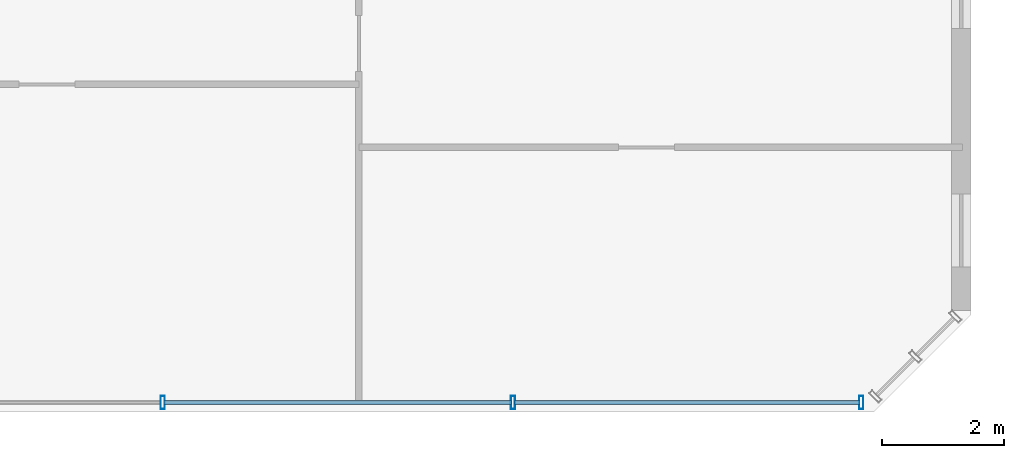
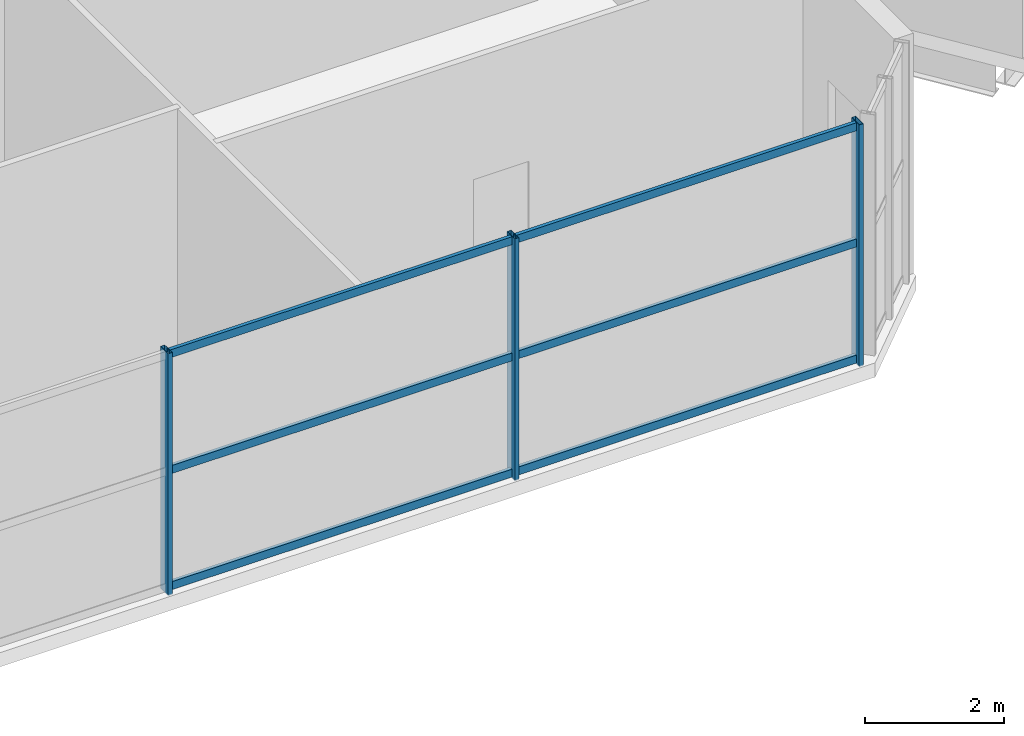
# One storey, part 7 of 30: 9 members, 1 element without a shape of its own.
"""IFC4 building model written with IfcOpenShell, lengths in metres."""

from ifc_helpers import new_model, si_unit, direction, frame, origin, origin_2d, place, context, subcontext, project, spatial, hollow_rectangle, extrude, source, transform, mapped, material, material_profile, profile_set, type_object, element, aggregate, save


model = new_model("IFC4")

# Units and contexts
model_context = context("Model", 3, precision=1e-05, world=origin(), true_north=direction((0.0, 1.0)))
body_context = subcontext(model_context, "Body", "Model", "MODEL_VIEW")
ifc_project = project(units=[si_unit("LENGTHUNIT", "METRE"), si_unit("AREAUNIT", "SQUARE_METRE"), si_unit("VOLUMEUNIT", "CUBIC_METRE"), si_unit("PLANEANGLEUNIT", "RADIAN"), si_unit("MASSUNIT", "GRAM", prefix="KILO")], contexts=[model_context])

# Site, building, storey
site_placement = place(None, origin())
site = spatial("IfcSite", under=ifc_project, at=site_placement, CompositionType="ELEMENT")
building_placement = place(site_placement, origin())
building = spatial("IfcBuilding", under=site, at=building_placement, Name="Tlacorven Tower", CompositionType="ELEMENT")
storey_placement = place(building_placement, frame((0.0, 0.0, 67.199951171875)))
storey = spatial("IfcBuildingStorey", under=building, at=storey_placement, Name="L17", CompositionType="ELEMENT", Elevation=67.199951171875)

# Curtain wall, members
ifc_material_1 = material(Name="Dark solar low-E double glazing in aluminium frame", Category="aluminium")
curtain_wall_type = type_object("IfcCurtainWallType", Name="CW-TWR-LOW", PredefinedType="USERDEFINED", material=ifc_material_1)
curtain_wall_placement = place(storey_placement, origin())
curtain_wall = element("IfcCurtainWall", 1, at=curtain_wall_placement, inside=storey, type_object=curtain_wall_type, Name="L17 CW-TWR-LOW Curtain Wall 94", ObjectType="UNITISED CURTAIN WALL", PredefinedType="USERDEFINED")
ifc_material_2 = material(Name="Aluminium 6063-T6 anodised", Category="aluminium")
ifc_material_profile_1 = material_profile(ifc_material_2, hollow_rectangle(XDim=0.06005859375, YDim=0.139892578125, WallThickness=0.00390625, at=origin_2d()), Name="ALU TRANSOM 60X140")
ifc_profile_set_1 = profile_set([ifc_material_profile_1], Name="Aluminium 6063-T6 anodised")
member_type_1 = type_object("IfcMemberType", Name="CWT-02", PredefinedType="USERDEFINED", material=ifc_profile_set_1)
shared_shape_1 = source(origin(), body_context, "Body", "SweptSolid", [
    extrude(hollow_rectangle(XDim=0.06005859375, YDim=0.139892578125, WallThickness=0.00390625, at=origin_2d()), origin(), (0.0, 0.0, 1.0), 5.6748046875),
])
member_1_placement = place(storey_placement, frame((50.57568359375, 1.9599609375, 0.070068359375), z_axis=(-1.0, 0.0, 0.0), x_axis=(0.0, -1.0, 0.0)))
member_1 = element("IfcMember", 2, at=member_1_placement, type_object=member_type_1, Name="CW-L17-094 Transom 1", ObjectType="TRANSOM", PredefinedType="USERDEFINED", context=body_context, shape_type="MappedRepresentation", body=[
    mapped(shared_shape_1, transform((0.0, 0.0, 0.0), scale=1.0)),
])
member_2_placement = place(storey_placement, frame((50.57568359375, 1.9599609375, 2.110107421875), z_axis=(-1.0, 0.0, 0.0), x_axis=(0.0, -1.0, 0.0)))
member_2 = element("IfcMember", 3, at=member_2_placement, type_object=member_type_1, Name="CW-L17-094 Transom 2", ObjectType="TRANSOM", PredefinedType="USERDEFINED", context=body_context, shape_type="MappedRepresentation", body=[
    mapped(shared_shape_1, transform((0.0, 0.0, 0.0), scale=1.0)),
])
member_3_placement = place(storey_placement, frame((50.57568359375, 1.9599609375, 4.150146484375), z_axis=(-1.0, 0.0, 0.0), x_axis=(0.0, -1.0, 0.0)))
member_3 = element("IfcMember", 4, at=member_3_placement, type_object=member_type_1, Name="CW-L17-094 Transom 3", ObjectType="TRANSOM", PredefinedType="USERDEFINED", context=body_context, shape_type="MappedRepresentation", body=[
    mapped(shared_shape_1, transform((0.0, 0.0, 0.0), scale=1.0)),
])
shared_shape_2 = source(origin(), body_context, "Body", "SweptSolid", [
    extrude(hollow_rectangle(XDim=0.06005859375, YDim=0.139892578125, WallThickness=0.00390625, at=origin_2d()), origin(), (0.0, 0.0, 1.0), 5.7099609375),
])
member_4_placement = place(storey_placement, frame((44.85498046875, 1.9599609375, 0.070068359375), z_axis=(-1.0, 0.0, 0.0), x_axis=(0.0, -1.0, 0.0)))
member_4 = element("IfcMember", 5, at=member_4_placement, type_object=member_type_1, Name="CW-L17-094 Transom 4", ObjectType="TRANSOM", PredefinedType="USERDEFINED", context=body_context, shape_type="MappedRepresentation", body=[
    mapped(shared_shape_2, transform((0.0, 0.0, 0.0), scale=1.0)),
])
member_5_placement = place(storey_placement, frame((44.85498046875, 1.9599609375, 2.110107421875), z_axis=(-1.0, 0.0, 0.0), x_axis=(0.0, -1.0, 0.0)))
member_5 = element("IfcMember", 6, at=member_5_placement, type_object=member_type_1, Name="CW-L17-094 Transom 5", ObjectType="TRANSOM", PredefinedType="USERDEFINED", context=body_context, shape_type="MappedRepresentation", body=[
    mapped(shared_shape_2, transform((0.0, 0.0, 0.0), scale=1.0)),
])
member_6_placement = place(storey_placement, frame((44.85498046875, 1.9599609375, 4.150146484375), z_axis=(-1.0, 0.0, 0.0), x_axis=(0.0, -1.0, 0.0)))
member_6 = element("IfcMember", 7, at=member_6_placement, type_object=member_type_1, Name="CW-L17-094 Transom 6", ObjectType="TRANSOM", PredefinedType="USERDEFINED", context=body_context, shape_type="MappedRepresentation", body=[
    mapped(shared_shape_2, transform((0.0, 0.0, 0.0), scale=1.0)),
])
ifc_material_profile_2 = material_profile(ifc_material_2, hollow_rectangle(XDim=0.070068359375, YDim=0.219970703125, WallThickness=0.0048828125, at=origin_2d()), Name="ALU MULLION 70X220")
ifc_profile_set_2 = profile_set([ifc_material_profile_2], Name="Aluminium 6063-T6 anodised")
member_type_2 = type_object("IfcMemberType", Name="CWM-01", PredefinedType="MULLION", material=ifc_profile_set_2)
shared_shape_3 = source(origin(), body_context, "Body", "SweptSolid", [
    extrude(hollow_rectangle(XDim=0.070068359375, YDim=0.219970703125, WallThickness=0.0048828125, at=origin_2d()), origin(), (0.0, 0.0, 1.0), 4.25),
])
member_7_placement = place(storey_placement, frame((50.5986328125, 1.9599609375, -0.02001953125), z_axis=(0.0, 0.0, 1.0), x_axis=(-1.0, 0.0, 0.0)))
member_7 = element("IfcMember", 8, at=member_7_placement, type_object=member_type_2, Name="CW-L17-094 Mullion 1", PredefinedType="MULLION", context=body_context, shape_type="MappedRepresentation", body=[
    mapped(shared_shape_3, transform((0.0, 0.0, 0.0), scale=1.0)),
])
member_8_placement = place(storey_placement, frame((44.8779296875, 1.9599609375, -0.02001953125), z_axis=(0.0, 0.0, 1.0), x_axis=(-1.0, 0.0, 0.0)))
member_8 = element("IfcMember", 9, at=member_8_placement, type_object=member_type_2, Name="CW-L17-094 Mullion 2", PredefinedType="MULLION", context=body_context, shape_type="MappedRepresentation", body=[
    mapped(shared_shape_3, transform((0.0, 0.0, 0.0), scale=1.0)),
])
member_9_placement = place(storey_placement, frame((39.1220703125, 1.9599609375, -0.02001953125), z_axis=(0.0, 0.0, 1.0), x_axis=(-1.0, 0.0, 0.0)))
member_9 = element("IfcMember", 10, at=member_9_placement, type_object=member_type_2, Name="CW-L17-094 Mullion 3", PredefinedType="MULLION", context=body_context, shape_type="MappedRepresentation", body=[
    mapped(shared_shape_3, transform((0.0, 0.0, 0.0), scale=1.0)),
])
aggregate(curtain_wall, [member_7, member_8, member_9, member_1, member_2, member_3, member_4, member_5, member_6])

save(model, "model.ifc")
